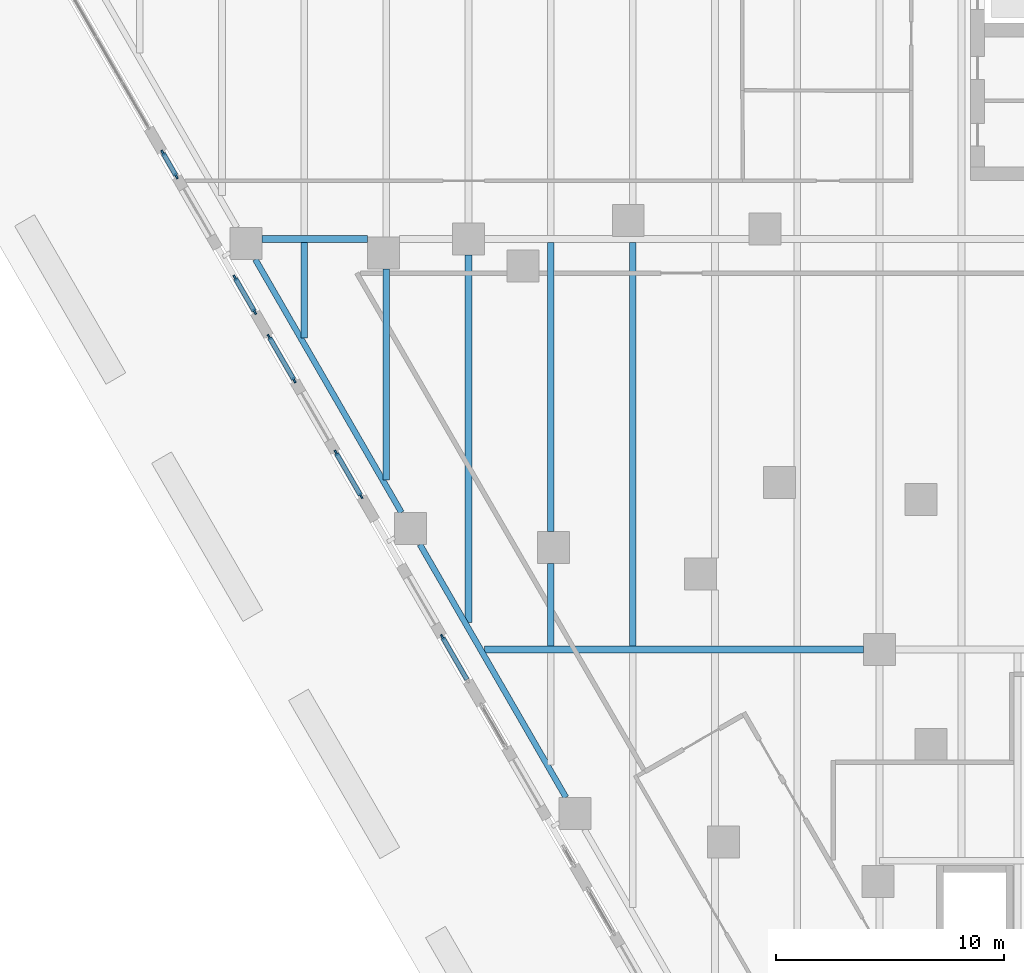
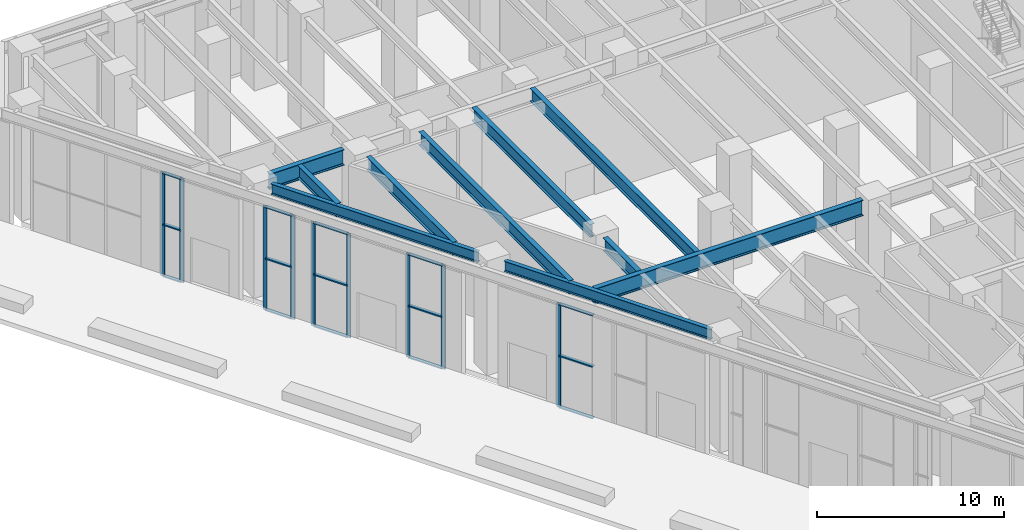
# One storey, part 11 of 37: 24 members, 10 beams, 5 elements without a shape of their own.
"""IFC4 building model written with IfcOpenShell, lengths in metres."""

import ifcopenshell
import ifcopenshell.guid

model = None  # the IFC model being written
_history = None  # IfcOwnerHistory: only IFC2X3 demands one
_inside = {}  # id of a spatial element -> (the spatial element, [elements in it])
_under = {}  # id of a project, library or spatial element -> (it, [spatial elements below it])
_declared = {}  # id of a project -> (the project, [libraries it declares])
_typed = {}  # id of a type object -> (the type object, [elements of that type])
_made_of = {}  # id of a material, layer set ... -> (it, [elements and type objects made of it])


def new_model(schema):
    """Start an empty IFC model of exactly this schema.

    Asked for "IFC4X3", IfcOpenShell would pick the latest addendum, in which some entities
    have other attributes; the version numbers below select the first issue.
    IFC2X3 requires an IfcOwnerHistory on every rooted entity: one is made here for all.
    """
    global model, _history
    if schema == "IFC4X3":
        model = ifcopenshell.file(schema_version=(4, 3, 0, 0))
    else:
        model = ifcopenshell.file(schema=schema)
    _inside.clear()
    _under.clear()
    _declared.clear()
    _typed.clear()
    _made_of.clear()
    _history = None
    if model.schema == "IFC2X3":
        org = make("IfcOrganization", Name="unknown")
        user = make(
            "IfcPersonAndOrganization",
            ThePerson=make("IfcPerson", FamilyName="unknown"),
            TheOrganization=org,
        )
        app = make(
            "IfcApplication",
            ApplicationDeveloper=org,
            Version="unknown",
            ApplicationFullName="unknown",
            ApplicationIdentifier="unknown",
        )
        _history = make(
            "IfcOwnerHistory",
            OwningUser=user,
            OwningApplication=app,
            ChangeAction="ADDED",
            CreationDate=0,
        )
    return model


def make(cls, **values):
    """One entity of the class cls with the attributes given. An attribute that is None is left unset."""
    return model.create_entity(
        cls, **{name: value for name, value in values.items() if value is not None}
    )


def rooted(cls, **values):
    """An entity with a GlobalId (a new one), such as an element, a storey or a relation."""
    return make(cls, GlobalId=ifcopenshell.guid.new(), OwnerHistory=_history, **values)


def si_unit(unit_type, name, prefix=None):
    """IfcSIUnit, for example si_unit("LENGTHUNIT", "METRE", prefix="MILLI")."""
    return make("IfcSIUnit", UnitType=unit_type, Prefix=prefix, Name=name)


def assignment(units):
    """IfcUnitAssignment: the units of a project."""
    return None if units is None else make("IfcUnitAssignment", Units=units)


def point(xyz):
    """IfcCartesianPoint."""
    return None if xyz is None else make("IfcCartesianPoint", Coordinates=xyz)


def direction(xyz):
    """IfcDirection."""
    return None if xyz is None else make("IfcDirection", DirectionRatios=xyz)


def frame(location, z_axis=None, x_axis=None):
    """IfcAxis2Placement3D, a coordinate frame: its origin and axes. An axis left out is left unset."""
    return make(
        "IfcAxis2Placement3D",
        Location=point(location),
        Axis=direction(z_axis),
        RefDirection=direction(x_axis),
    )


def frame_2d(location, x_axis=None):
    """IfcAxis2Placement2D, a coordinate frame in the plane: its origin and x axis."""
    return make(
        "IfcAxis2Placement2D", Location=point(location), RefDirection=direction(x_axis)
    )


def origin():
    """The frame at (0, 0, 0) with its axes left unset."""
    return frame((0.0, 0.0, 0.0))


def origin_2d():
    """The frame at (0, 0) in the plane with its x axis left unset."""
    return frame_2d((0.0, 0.0))


def place(relative_to, where):
    """IfcLocalPlacement: puts the frame where relative to a parent placement (None: the world)."""
    return make(
        "IfcLocalPlacement", PlacementRelTo=relative_to, RelativePlacement=where
    )


def context(
    kind, dimensions, precision=None, world=None, true_north=None, identifier=None
):
    """IfcGeometricRepresentationContext, for example the 3D "Model" context."""
    return make(
        "IfcGeometricRepresentationContext",
        ContextIdentifier=identifier,
        ContextType=kind,
        CoordinateSpaceDimension=dimensions,
        Precision=precision,
        WorldCoordinateSystem=world,
        TrueNorth=true_north,
    )


def subcontext(parent, identifier, kind, view, scale=None):
    """IfcGeometricRepresentationSubContext, for example "Body" below "Model"."""
    return make(
        "IfcGeometricRepresentationSubContext",
        ContextIdentifier=identifier,
        ContextType=kind,
        ParentContext=parent,
        TargetScale=scale,
        TargetView=view,
    )


def project(units=None, contexts=None):
    """IfcProject with its units and contexts."""
    return rooted(
        "IfcProject",
        Name="project",
        RepresentationContexts=contexts,
        UnitsInContext=assignment(units),
    )


def spatial(cls, under=None, at=None, **own):
    """A site, building, storey or space (cls), placed at a placement, below another one or the project."""
    s = rooted(cls, ObjectPlacement=at, **own)
    if under is not None:
        _under.setdefault(under.id(), (under, []))[1].append(s)
    return s


def profile(cls, at=None, kind="AREA", **sizes):
    """A parametric profile (cls). Its sizes go by their IFC names, for example OverallWidth=200.0."""
    return make(cls, ProfileType=kind, Position=at, **sizes)


def rectangle(**sizes):
    """IfcRectangleProfileDef."""
    return profile("IfcRectangleProfileDef", **sizes)


def i_section(**sizes):
    """IfcIShapeProfileDef."""
    return profile("IfcIShapeProfileDef", **sizes)


def extrude(swept, where, along, depth):
    """IfcExtrudedAreaSolid: the profile swept, set in the frame where, extruded along a direction by depth."""
    return make(
        "IfcExtrudedAreaSolid",
        SweptArea=swept,
        Position=where,
        ExtrudedDirection=direction(along),
        Depth=depth,
    )


def shape(context_of_items, identifier, shape_type, items):
    """IfcShapeRepresentation: the items that make up one representation, for example the "Body"."""
    return make(
        "IfcShapeRepresentation",
        ContextOfItems=context_of_items,
        RepresentationIdentifier=identifier,
        RepresentationType=shape_type,
        Items=items,
    )


def material(Name=None, Category=None):
    """IfcMaterial."""
    return make("IfcMaterial", Name=Name, Category=Category)


def material_profile(
    of_material, cross_section, Name=None, Category=None, Priority=None
):
    """IfcMaterialProfile: a cross section and its material."""
    return make(
        "IfcMaterialProfile",
        Name=Name,
        Material=of_material,
        Profile=cross_section,
        Priority=Priority,
        Category=Category,
    )


def profile_set(profiles, Name=None, composite=None):
    """IfcMaterialProfileSet."""
    return make(
        "IfcMaterialProfileSet",
        Name=Name,
        MaterialProfiles=profiles,
        CompositeProfile=composite,
    )


def made_of(thing, what):
    """Note that an element or type object is made of a material, layer set ...; save() writes the relation."""
    if what is not None:
        _made_of.setdefault(what.id(), (what, []))[1].append(thing)
    return thing


def type_object(cls, material=None, **own):
    """A type object (cls), such as IfcWallType, which elements share."""
    return made_of(rooted(cls, **own), material)


def element(
    cls,
    number,
    at=None,
    inside=None,
    cuts=None,
    type_object=None,
    material=None,
    context=None,
    identifier="Body",
    shape_type=None,
    held_by="IfcProductDefinitionShape",
    body=None,
    shapes=None,
    **own,
):
    """One element of the class cls, such as IfcWall. Its Tag is "e" and its number.

    at: its placement. inside: the storey or other place that contains it. cuts: it is an
    opening in that element (IfcRelVoidsElement). A single representation is given by context,
    identifier, shape_type and body (its items); several are given by shapes. held_by: the class
    of the entity that holds the representations. save() writes the other relations.
    """
    e = rooted(cls, Tag="e%d" % number, ObjectPlacement=at, **own)
    if body is not None:
        shapes = [shape(context, identifier, shape_type, body)]
    if shapes is not None:
        e.Representation = make(held_by, Representations=shapes)
    if inside is not None:
        _inside.setdefault(inside.id(), (inside, []))[1].append(e)
    if cuts is not None:
        rooted(
            "IfcRelVoidsElement", RelatingBuildingElement=cuts, RelatedOpeningElement=e
        )
    if type_object is not None:
        _typed.setdefault(type_object.id(), (type_object, []))[1].append(e)
    return made_of(e, material)


def aggregate(whole, parts):
    """IfcRelAggregates: a whole, such as a stair, and the parts it consists of."""
    return rooted("IfcRelAggregates", RelatingObject=whole, RelatedObjects=parts)


def save(model, path):
    """Write the relations noted so far, then the file.

    IfcRelAggregates (storeys below a building ...), IfcRelContainedInSpatialStructure (elements
    in a storey), IfcRelDefinesByType, IfcRelAssociatesMaterial and IfcRelDeclares: one each for
    every whole, place, type object, material and project.
    """
    for whole, parts in _under.values():
        aggregate(whole, parts)
    for where, things in _inside.values():
        rooted(
            "IfcRelContainedInSpatialStructure",
            RelatedElements=things,
            RelatingStructure=where,
        )
    for kind, things in _typed.values():
        rooted("IfcRelDefinesByType", RelatedObjects=things, RelatingType=kind)
    for what, things in _made_of.values():
        rooted("IfcRelAssociatesMaterial", RelatedObjects=things, RelatingMaterial=what)
    for by, libraries in _declared.values():
        rooted("IfcRelDeclares", RelatingContext=by, RelatedDefinitions=libraries)
    model.write(path)


model = new_model("IFC4")

# Units and contexts
model_context = context("Model", 3, precision=1e-05, world=origin(), true_north=direction((0.0, 1.0)))
body_context = subcontext(model_context, "Body", "Model", "MODEL_VIEW")
ifc_project = project(units=[si_unit("LENGTHUNIT", "METRE"), si_unit("AREAUNIT", "SQUARE_METRE"), si_unit("VOLUMEUNIT", "CUBIC_METRE"), si_unit("PLANEANGLEUNIT", "RADIAN"), si_unit("MASSUNIT", "GRAM", prefix="KILO")], contexts=[model_context])

# Site, building, storey
site_placement = place(None, origin())
site = spatial("IfcSite", under=ifc_project, at=site_placement, CompositionType="ELEMENT")
building_placement = place(site_placement, origin())
building = spatial("IfcBuilding", under=site, at=building_placement, Name="Aloe Facet Convention Tower", CompositionType="ELEMENT")
storey_placement = place(building_placement, origin())
storey = spatial("IfcBuildingStorey", under=building, at=storey_placement, Name="L00", CompositionType="ELEMENT", Elevation=0.0)

# Curtain wall, members
ifc_material_1 = material(Name="Aluminium, anodised", Category="aluminium")
curtain_wall_type = type_object("IfcCurtainWallType", Name="EV-CW-PORTAL", PredefinedType="USERDEFINED", material=ifc_material_1)
curtain_wall_1_placement = place(storey_placement, origin())
curtain_wall_1 = element("IfcCurtainWall", 1, at=curtain_wall_1_placement, inside=storey, type_object=curtain_wall_type, Name="CW-L00-W04A", ObjectType="ENTRANCE PORTAL GLAZING", PredefinedType="USERDEFINED")
ifc_material_2 = material(Name="Aluminium, anodised", Category="aluminium")
ifc_material_profile_1 = material_profile(ifc_material_2, rectangle(XDim=0.080078125, YDim=0.25, at=origin_2d()), Name="AL 80x250")
ifc_profile_set_1 = profile_set([ifc_material_profile_1], Name="Aluminium, anodised")
member_type_1 = type_object("IfcMemberType", Name="EV-MULL-PORTAL", PredefinedType="MULLION", material=ifc_profile_set_1)
member_1_placement = place(storey_placement, frame((30.60791015625, 120.77001953125, -0.300048828125), z_axis=(0.0, 0.0, 1.0), x_axis=(0.866025403688, 0.500000000166, 0.0)))
member_1 = element("IfcMember", 2, at=member_1_placement, type_object=member_type_1, Name="CW-L00-W04A mullion 1", PredefinedType="MULLION", context=body_context, shape_type="SweptSolid", body=[
    extrude(rectangle(XDim=0.080078125, YDim=0.25, at=origin_2d()), origin(), (0.0, 0.0, 1.0), 6.8125),
])
member_2_placement = place(storey_placement, frame((31.198486328125, 119.747314453125, -0.300048828125), z_axis=(0.0, 0.0, 1.0), x_axis=(0.866025403688, 0.500000000166, 0.0)))
member_2 = element("IfcMember", 3, at=member_2_placement, type_object=member_type_1, Name="CW-L00-W04A mullion 2", PredefinedType="MULLION", context=body_context, shape_type="SweptSolid", body=[
    extrude(rectangle(XDim=0.080078125, YDim=0.25, at=origin_2d()), origin(), (0.0, 0.0, 1.0), 6.8125),
])

curtain_wall_2_placement = place(storey_placement, origin())
curtain_wall_2 = element("IfcCurtainWall", 4, at=curtain_wall_2_placement, inside=storey, type_object=curtain_wall_type, Name="CW-L00-W04B", ObjectType="ENTRANCE PORTAL GLAZING", PredefinedType="USERDEFINED")
member_3_placement = place(storey_placement, frame((33.772216796875, 115.289306640625, -0.300048828125), z_axis=(0.0, 0.0, 1.0), x_axis=(0.866025403811, 0.499999999955, 0.0)))
member_3 = element("IfcMember", 5, at=member_3_placement, type_object=member_type_1, Name="CW-L00-W04B mullion 1", PredefinedType="MULLION", context=body_context, shape_type="SweptSolid", body=[
    extrude(rectangle(XDim=0.080078125, YDim=0.25, at=origin_2d()), origin(), (0.0, 0.0, 1.0), 6.8125),
])
member_4_placement = place(storey_placement, frame((34.628662109375, 113.805908203125, -0.300048828125), z_axis=(0.0, 0.0, 1.0), x_axis=(0.866025403811, 0.499999999955, 0.0)))
member_4 = element("IfcMember", 6, at=member_4_placement, type_object=member_type_1, Name="CW-L00-W04B mullion 2", PredefinedType="MULLION", context=body_context, shape_type="SweptSolid", body=[
    extrude(rectangle(XDim=0.080078125, YDim=0.25, at=origin_2d()), origin(), (0.0, 0.0, 1.0), 6.8125),
])

curtain_wall_3_placement = place(storey_placement, origin())
curtain_wall_3 = element("IfcCurtainWall", 7, at=curtain_wall_3_placement, inside=storey, type_object=curtain_wall_type, Name="CW-L00-W06A", ObjectType="ENTRANCE PORTAL GLAZING", PredefinedType="USERDEFINED")
member_5_placement = place(storey_placement, frame((35.268798828125, 112.697509765625, -0.300048828125), z_axis=(0.0, 0.0, 1.0), x_axis=(0.86602540375, 0.50000000006, 0.0)))
member_5 = element("IfcMember", 8, at=member_5_placement, type_object=member_type_1, Name="CW-L00-W06A mullion 1", PredefinedType="MULLION", context=body_context, shape_type="SweptSolid", body=[
    extrude(rectangle(XDim=0.080078125, YDim=0.25, at=origin_2d()), origin(), (0.0, 0.0, 1.0), 6.8125),
])
member_6_placement = place(storey_placement, frame((36.359130859375, 110.808837890625, -0.300048828125), z_axis=(0.0, 0.0, 1.0), x_axis=(0.86602540375, 0.50000000006, 0.0)))
member_6 = element("IfcMember", 9, at=member_6_placement, type_object=member_type_1, Name="CW-L00-W06A mullion 2", PredefinedType="MULLION", context=body_context, shape_type="SweptSolid", body=[
    extrude(rectangle(XDim=0.080078125, YDim=0.25, at=origin_2d()), origin(), (0.0, 0.0, 1.0), 6.8125),
])

curtain_wall_4_placement = place(storey_placement, origin())
curtain_wall_4 = element("IfcCurtainWall", 10, at=curtain_wall_4_placement, inside=storey, type_object=curtain_wall_type, Name="CW-L00-W06B", ObjectType="ENTRANCE PORTAL GLAZING", PredefinedType="USERDEFINED")
member_7_placement = place(storey_placement, frame((38.198974609375, 107.621826171875, -0.300048828125), z_axis=(0.0, 0.0, 1.0), x_axis=(0.86602540375, 0.50000000006, 0.0)))
member_7 = element("IfcMember", 11, at=member_7_placement, type_object=member_type_1, Name="CW-L00-W06B mullion 1", PredefinedType="MULLION", context=body_context, shape_type="SweptSolid", body=[
    extrude(rectangle(XDim=0.080078125, YDim=0.25, at=origin_2d()), origin(), (0.0, 0.0, 1.0), 6.8125),
])
member_8_placement = place(storey_placement, frame((39.289306640625, 105.7333984375, -0.300048828125), z_axis=(0.0, 0.0, 1.0), x_axis=(0.86602540375, 0.50000000006, 0.0)))
member_8 = element("IfcMember", 12, at=member_8_placement, type_object=member_type_1, Name="CW-L00-W06B mullion 2", PredefinedType="MULLION", context=body_context, shape_type="SweptSolid", body=[
    extrude(rectangle(XDim=0.080078125, YDim=0.25, at=origin_2d()), origin(), (0.0, 0.0, 1.0), 6.8125),
])

# Curtain wall, member
curtain_wall_5_placement = place(storey_placement, origin())
curtain_wall_5 = element("IfcCurtainWall", 13, at=curtain_wall_5_placement, inside=storey, type_object=curtain_wall_type, Name="CW-L00-W08B", ObjectType="ENTRANCE PORTAL GLAZING", PredefinedType="USERDEFINED")
member_9_placement = place(storey_placement, frame((42.859619140625, 99.54931640625, -0.300048828125), z_axis=(0.0, 0.0, 1.0), x_axis=(0.866025403942, 0.499999999728, 0.0)))
member_9 = element("IfcMember", 14, at=member_9_placement, type_object=member_type_1, Name="CW-L00-W08B mullion 1", PredefinedType="MULLION", context=body_context, shape_type="SweptSolid", body=[
    extrude(rectangle(XDim=0.080078125, YDim=0.25, at=origin_2d()), origin(), (0.0, 0.0, 1.0), 6.8125),
])

# Member
ifc_material_3 = material(Name="Aluminium, anodised", Category="aluminium")
ifc_material_profile_2 = material_profile(ifc_material_3, rectangle(XDim=0.199951171875, YDim=0.080078125, at=origin_2d()), Name="AL 200x80")
ifc_profile_set_2 = profile_set([ifc_material_profile_2], Name="Aluminium, anodised")
member_type_2 = type_object("IfcMemberType", Name="EV-TRAN-PORTAL", PredefinedType="USERDEFINED", material=ifc_profile_set_2)
member_10_placement = place(storey_placement, frame((30.6279296875, 120.7353515625, -0.260009765625), z_axis=(0.500074377092, -0.865982457891, 0.0), x_axis=(0.865982457891, 0.500074377092, 0.0)))
member_10 = element("IfcMember", 15, at=member_10_placement, type_object=member_type_2, Name="CW-L00-W04A transom 1.1", ObjectType="TRANSOM", PredefinedType="USERDEFINED", context=body_context, shape_type="SweptSolid", body=[
    extrude(rectangle(XDim=0.199951171875, YDim=0.080078125, at=origin_2d()), origin(), (0.0, 0.0, 1.0), 1.100830078125),
])

member_11_placement = place(storey_placement, frame((30.6279296875, 120.7353515625, 3.106201171875), z_axis=(0.500074377092, -0.865982457891, 0.0), x_axis=(0.865982457891, 0.500074377092, 0.0)))
member_11 = element("IfcMember", 16, at=member_11_placement, type_object=member_type_2, Name="CW-L00-W04A transom 1.2", ObjectType="TRANSOM", PredefinedType="USERDEFINED", context=body_context, shape_type="SweptSolid", body=[
    extrude(rectangle(XDim=0.199951171875, YDim=0.080078125, at=origin_2d()), origin(), (0.0, 0.0, 1.0), 1.100830078125),
])

member_12_placement = place(storey_placement, frame((30.6279296875, 120.7353515625, 6.472412109375), z_axis=(0.500074377092, -0.865982457891, 0.0), x_axis=(0.865982457891, 0.500074377092, 0.0)))
member_12 = element("IfcMember", 17, at=member_12_placement, type_object=member_type_2, Name="CW-L00-W04A transom 1.3", ObjectType="TRANSOM", PredefinedType="USERDEFINED", context=body_context, shape_type="SweptSolid", body=[
    extrude(rectangle(XDim=0.199951171875, YDim=0.080078125, at=origin_2d()), origin(), (0.0, 0.0, 1.0), 1.100830078125),
])

aggregate(curtain_wall_1, [member_1, member_2, member_10, member_11, member_12])

member_13_placement = place(storey_placement, frame((33.792236328125, 115.254638671875, -0.260009765625), z_axis=(0.499998569178, -0.866026229868, 0.0), x_axis=(0.866026229868, 0.499998569178, 0.0)))
member_13 = element("IfcMember", 18, at=member_13_placement, type_object=member_type_2, Name="CW-L00-W04B transom 1.1", ObjectType="TRANSOM", PredefinedType="USERDEFINED", context=body_context, shape_type="SweptSolid", body=[
    extrude(rectangle(XDim=0.199951171875, YDim=0.080078125, at=origin_2d()), origin(), (0.0, 0.0, 1.0), 1.6328125),
])

member_14_placement = place(storey_placement, frame((33.792236328125, 115.254638671875, 3.106201171875), z_axis=(0.499998569178, -0.866026229868, 0.0), x_axis=(0.866026229868, 0.499998569178, 0.0)))
member_14 = element("IfcMember", 19, at=member_14_placement, type_object=member_type_2, Name="CW-L00-W04B transom 1.2", ObjectType="TRANSOM", PredefinedType="USERDEFINED", context=body_context, shape_type="SweptSolid", body=[
    extrude(rectangle(XDim=0.199951171875, YDim=0.080078125, at=origin_2d()), origin(), (0.0, 0.0, 1.0), 1.6328125),
])

member_15_placement = place(storey_placement, frame((33.792236328125, 115.254638671875, 6.472412109375), z_axis=(0.499998569178, -0.866026229868, 0.0), x_axis=(0.866026229868, 0.499998569178, 0.0)))
member_15 = element("IfcMember", 20, at=member_15_placement, type_object=member_type_2, Name="CW-L00-W04B transom 1.3", ObjectType="TRANSOM", PredefinedType="USERDEFINED", context=body_context, shape_type="SweptSolid", body=[
    extrude(rectangle(XDim=0.199951171875, YDim=0.080078125, at=origin_2d()), origin(), (0.0, 0.0, 1.0), 1.6328125),
])

aggregate(curtain_wall_2, [member_3, member_4, member_13, member_14, member_15])

member_16_placement = place(storey_placement, frame((35.288818359375, 112.662841796875, -0.260009765625), z_axis=(0.49996389635, -0.866046247233, 0.0), x_axis=(0.866046247233, 0.49996389635, 0.0)))
member_16 = element("IfcMember", 21, at=member_16_placement, type_object=member_type_2, Name="CW-L00-W06A transom 1.1", ObjectType="TRANSOM", PredefinedType="USERDEFINED", context=body_context, shape_type="SweptSolid", body=[
    extrude(rectangle(XDim=0.199951171875, YDim=0.080078125, at=origin_2d()), origin(), (0.0, 0.0, 1.0), 2.100830078125),
])

member_17_placement = place(storey_placement, frame((35.288818359375, 112.662841796875, 3.106201171875), z_axis=(0.49996389635, -0.866046247233, 0.0), x_axis=(0.866046247233, 0.49996389635, 0.0)))
member_17 = element("IfcMember", 22, at=member_17_placement, type_object=member_type_2, Name="CW-L00-W06A transom 1.2", ObjectType="TRANSOM", PredefinedType="USERDEFINED", context=body_context, shape_type="SweptSolid", body=[
    extrude(rectangle(XDim=0.199951171875, YDim=0.080078125, at=origin_2d()), origin(), (0.0, 0.0, 1.0), 2.100830078125),
])

member_18_placement = place(storey_placement, frame((35.288818359375, 112.662841796875, 6.472412109375), z_axis=(0.49996389635, -0.866046247233, 0.0), x_axis=(0.866046247233, 0.49996389635, 0.0)))
member_18 = element("IfcMember", 23, at=member_18_placement, type_object=member_type_2, Name="CW-L00-W06A transom 1.3", ObjectType="TRANSOM", PredefinedType="USERDEFINED", context=body_context, shape_type="SweptSolid", body=[
    extrude(rectangle(XDim=0.199951171875, YDim=0.080078125, at=origin_2d()), origin(), (0.0, 0.0, 1.0), 2.100830078125),
])

aggregate(curtain_wall_3, [member_5, member_6, member_16, member_17, member_18])

member_19_placement = place(storey_placement, frame((38.218994140625, 107.587158203125, -0.260009765625), z_axis=(0.50001422142, -0.866017192888, 0.0), x_axis=(0.866017192888, 0.50001422142, 0.0)))
member_19 = element("IfcMember", 24, at=member_19_placement, type_object=member_type_2, Name="CW-L00-W06B transom 1.1", ObjectType="TRANSOM", PredefinedType="USERDEFINED", context=body_context, shape_type="SweptSolid", body=[
    extrude(rectangle(XDim=0.199951171875, YDim=0.080078125, at=origin_2d()), origin(), (0.0, 0.0, 1.0), 2.1005859375),
])

member_20_placement = place(storey_placement, frame((38.218994140625, 107.587158203125, 3.106201171875), z_axis=(0.50001422142, -0.866017192888, 0.0), x_axis=(0.866017192888, 0.50001422142, 0.0)))
member_20 = element("IfcMember", 25, at=member_20_placement, type_object=member_type_2, Name="CW-L00-W06B transom 1.2", ObjectType="TRANSOM", PredefinedType="USERDEFINED", context=body_context, shape_type="SweptSolid", body=[
    extrude(rectangle(XDim=0.199951171875, YDim=0.080078125, at=origin_2d()), origin(), (0.0, 0.0, 1.0), 2.1005859375),
])

member_21_placement = place(storey_placement, frame((38.218994140625, 107.587158203125, 6.472412109375), z_axis=(0.50001422142, -0.866017192888, 0.0), x_axis=(0.866017192888, 0.50001422142, 0.0)))
member_21 = element("IfcMember", 26, at=member_21_placement, type_object=member_type_2, Name="CW-L00-W06B transom 1.3", ObjectType="TRANSOM", PredefinedType="USERDEFINED", context=body_context, shape_type="SweptSolid", body=[
    extrude(rectangle(XDim=0.199951171875, YDim=0.080078125, at=origin_2d()), origin(), (0.0, 0.0, 1.0), 2.1005859375),
])

aggregate(curtain_wall_4, [member_7, member_8, member_19, member_20, member_21])

member_22_placement = place(storey_placement, frame((42.879638671875, 99.5146484375, -0.260009765625), z_axis=(0.500101383407, -0.865966862134, 0.0), x_axis=(0.865966862134, 0.500101383407, 0.0)))
member_22 = element("IfcMember", 27, at=member_22_placement, type_object=member_type_2, Name="CW-L00-W08B transom 1.1", ObjectType="TRANSOM", PredefinedType="USERDEFINED", context=body_context, shape_type="SweptSolid", body=[
    extrude(rectangle(XDim=0.199951171875, YDim=0.080078125, at=origin_2d()), origin(), (0.0, 0.0, 1.0), 2.1005859375),
])

member_23_placement = place(storey_placement, frame((42.879638671875, 99.5146484375, 3.106201171875), z_axis=(0.500101383407, -0.865966862134, 0.0), x_axis=(0.865966862134, 0.500101383407, 0.0)))
member_23 = element("IfcMember", 28, at=member_23_placement, type_object=member_type_2, Name="CW-L00-W08B transom 1.2", ObjectType="TRANSOM", PredefinedType="USERDEFINED", context=body_context, shape_type="SweptSolid", body=[
    extrude(rectangle(XDim=0.199951171875, YDim=0.080078125, at=origin_2d()), origin(), (0.0, 0.0, 1.0), 2.1005859375),
])

member_24_placement = place(storey_placement, frame((42.879638671875, 99.5146484375, 6.472412109375), z_axis=(0.500101383407, -0.865966862134, 0.0), x_axis=(0.865966862134, 0.500101383407, 0.0)))
member_24 = element("IfcMember", 29, at=member_24_placement, type_object=member_type_2, Name="CW-L00-W08B transom 1.3", ObjectType="TRANSOM", PredefinedType="USERDEFINED", context=body_context, shape_type="SweptSolid", body=[
    extrude(rectangle(XDim=0.199951171875, YDim=0.080078125, at=origin_2d()), origin(), (0.0, 0.0, 1.0), 2.1005859375),
])

aggregate(curtain_wall_5, [member_9, member_22, member_23, member_24])

# Beams
ifc_material_4 = material(Name="Steel S355", Category="steel")
ifc_material_profile_3 = material_profile(ifc_material_4, i_section(OverallWidth=0.305419921875, OverallDepth=1.02587890625, WebThickness=0.02001953125, FlangeThickness=0.031005859375, FilletRadius=0.030029296875, at=origin_2d()), Name="UB 1016x305x349")
ifc_profile_set_3 = profile_set([ifc_material_profile_3], Name="Steel S355")
beam_type_1 = type_object("IfcBeamType", Name="SF-B-UB1016x305x349", PredefinedType="BEAM", material=ifc_profile_set_3)
beam_1_placement = place(storey_placement, frame((34.9580078125, 117.0, 6.68701171875), z_axis=(1.0, 0.0, 0.0), x_axis=(0.0, 1.0, 0.0)))
element("IfcBeam", 30, at=beam_1_placement, inside=storey, type_object=beam_type_1, Name="Floor beam FB-L01-030", PredefinedType="BEAM", context=body_context, shape_type="SweptSolid", body=[
    extrude(i_section(OverallWidth=0.305419921875, OverallDepth=1.02587890625, WebThickness=0.02001953125, FlangeThickness=0.031005859375, FilletRadius=0.030029296875, at=origin_2d()), origin(), (0.0, 0.0, 1.0), 4.612060546875),
])
beam_2_placement = place(storey_placement, frame((44.690673828125, 99.0, 6.68701171875), z_axis=(1.0, 0.0, 0.0), x_axis=(0.0, 1.0, 0.0)))
element("IfcBeam", 31, at=beam_2_placement, inside=storey, type_object=beam_type_1, Name="Floor beam FB-L01-032", PredefinedType="BEAM", context=body_context, shape_type="SweptSolid", body=[
    extrude(i_section(OverallWidth=0.305419921875, OverallDepth=1.02587890625, WebThickness=0.02001953125, FlangeThickness=0.031005859375, FilletRadius=0.030029296875, at=origin_2d()), origin(), (0.0, 0.0, 1.0), 16.609375),
])
ifc_material_5 = material(Name="Steel S355", Category="steel")
ifc_material_profile_4 = material_profile(ifc_material_5, i_section(OverallWidth=0.25439453125, OverallDepth=0.6875, WebThickness=0.01318359375, FlangeThickness=0.02099609375, FilletRadius=0.01513671875, at=origin_2d()), Name="UB 686x254x152")
ifc_profile_set_4 = profile_set([ifc_material_profile_4], Name="Steel S355")
beam_type_2 = type_object("IfcBeamType", Name="SF-B-UB686x254x152", PredefinedType="BEAM", material=ifc_profile_set_4)
beam_3_placement = place(storey_placement, frame((41.06201171875, 105.012939453125, 6.856201171875), z_axis=(-0.499987149722, 0.866032822769, 0.0), x_axis=(-0.866032822769, -0.499987149722, 0.0)))
element("IfcBeam", 32, at=beam_3_placement, inside=storey, type_object=beam_type_2, Name="Floor beam FB-L01-005", PredefinedType="BEAM", context=body_context, shape_type="SweptSolid", body=[
    extrude(i_section(OverallWidth=0.25439453125, OverallDepth=0.6875, WebThickness=0.01318359375, FlangeThickness=0.02099609375, FilletRadius=0.01513671875, at=origin_2d()), origin(), (0.0, 0.0, 1.0), 12.801025390625),
])
beam_4_placement = place(storey_placement, frame((48.270263671875, 92.528076171875, 6.856201171875), z_axis=(-0.499999833739, 0.866025499775, 0.0), x_axis=(-0.866025499775, -0.499999833739, 0.0)))
element("IfcBeam", 33, at=beam_4_placement, inside=storey, type_object=beam_type_2, Name="Floor beam FB-L01-009", PredefinedType="BEAM", context=body_context, shape_type="SweptSolid", body=[
    extrude(i_section(OverallWidth=0.25439453125, OverallDepth=0.6875, WebThickness=0.01318359375, FlangeThickness=0.02099609375, FilletRadius=0.01513671875, at=origin_2d()), origin(), (0.0, 0.0, 1.0), 12.7998046875),
])
ifc_material_6 = material(Name="Steel S355", Category="steel")
ifc_material_profile_5 = material_profile(ifc_material_6, i_section(OverallWidth=0.293701171875, OverallDepth=0.850830078125, WebThickness=0.01611328125, FlangeThickness=0.02685546875, FilletRadius=0.017822265625, at=origin_2d()), Name="UB 838x292x226")
ifc_profile_set_5 = profile_set([ifc_material_profile_5], Name="Steel S355")
beam_type_3 = type_object("IfcBeamType", Name="SF-B-UB838x292x226", PredefinedType="BEAM", material=ifc_profile_set_5)
beam_5_placement = place(storey_placement, frame((36.800048828125, 112.65966796875, 6.774658203125), z_axis=(0.0, 1.0, 0.0), x_axis=(-1.0, 0.0, 0.0)))
element("IfcBeam", 34, at=beam_5_placement, inside=storey, type_object=beam_type_3, Name="Floor beam FB-L01-055", PredefinedType="BEAM", context=body_context, shape_type="SweptSolid", body=[
    extrude(i_section(OverallWidth=0.293701171875, OverallDepth=0.850830078125, WebThickness=0.01611328125, FlangeThickness=0.02685546875, FilletRadius=0.017822265625, at=origin_2d()), origin(), (0.0, 0.0, 1.0), 4.187744140625),
])
beam_6_placement = place(storey_placement, frame((40.39990234375, 106.42431640625, 6.774658203125), z_axis=(0.0, 1.0, 0.0), x_axis=(-1.0, 0.0, 0.0)))
element("IfcBeam", 35, at=beam_6_placement, inside=storey, type_object=beam_type_3, Name="Floor beam FB-L01-057", PredefinedType="BEAM", context=body_context, shape_type="SweptSolid", body=[
    extrude(i_section(OverallWidth=0.293701171875, OverallDepth=0.850830078125, WebThickness=0.01611328125, FlangeThickness=0.02685546875, FilletRadius=0.017822265625, at=origin_2d()), origin(), (0.0, 0.0, 1.0), 9.2607421875),
])
beam_7_placement = place(storey_placement, frame((44.0, 100.18896484375, 6.774658203125), z_axis=(0.0, 1.0, 0.0), x_axis=(-1.0, 0.0, 0.0)))
element("IfcBeam", 36, at=beam_7_placement, inside=storey, type_object=beam_type_3, Name="Floor beam FB-L01-059", PredefinedType="BEAM", context=body_context, shape_type="SweptSolid", body=[
    extrude(i_section(OverallWidth=0.293701171875, OverallDepth=0.850830078125, WebThickness=0.01611328125, FlangeThickness=0.02685546875, FilletRadius=0.017822265625, at=origin_2d()), origin(), (0.0, 0.0, 1.0), 16.111083984375),
])
beam_8_placement = place(storey_placement, frame((47.60009765625, 99.152587890625, 6.774658203125), z_axis=(0.0, 1.0, 0.0), x_axis=(-1.0, 0.0, 0.0)))
element("IfcBeam", 37, at=beam_8_placement, inside=storey, type_object=beam_type_3, Name="Floor beam FB-L01-063", PredefinedType="BEAM", context=body_context, shape_type="SweptSolid", body=[
    extrude(i_section(OverallWidth=0.293701171875, OverallDepth=0.850830078125, WebThickness=0.01611328125, FlangeThickness=0.02685546875, FilletRadius=0.017822265625, at=origin_2d()), origin(), (0.0, 0.0, 1.0), 3.63232421875),
])
beam_9_placement = place(storey_placement, frame((47.60009765625, 104.18505859375, 6.774658203125), z_axis=(0.0, 1.0, 0.0), x_axis=(-1.0, 0.0, 0.0)))
element("IfcBeam", 38, at=beam_9_placement, inside=storey, type_object=beam_type_3, Name="Floor beam FB-L01-064", PredefinedType="BEAM", context=body_context, shape_type="SweptSolid", body=[
    extrude(i_section(OverallWidth=0.293701171875, OverallDepth=0.850830078125, WebThickness=0.01611328125, FlangeThickness=0.02685546875, FilletRadius=0.017822265625, at=origin_2d()), origin(), (0.0, 0.0, 1.0), 12.662353515625),
])
beam_10_placement = place(storey_placement, frame((51.199951171875, 99.152587890625, 6.774658203125), z_axis=(0.0, 1.0, 0.0), x_axis=(-1.0, 0.0, 0.0)))
element("IfcBeam", 39, at=beam_10_placement, inside=storey, type_object=beam_type_3, Name="Floor beam FB-L01-067", PredefinedType="BEAM", context=body_context, shape_type="SweptSolid", body=[
    extrude(i_section(OverallWidth=0.293701171875, OverallDepth=0.850830078125, WebThickness=0.01611328125, FlangeThickness=0.02685546875, FilletRadius=0.017822265625, at=origin_2d()), origin(), (0.0, 0.0, 1.0), 17.69482421875),
])

save(model, "model.ifc")
